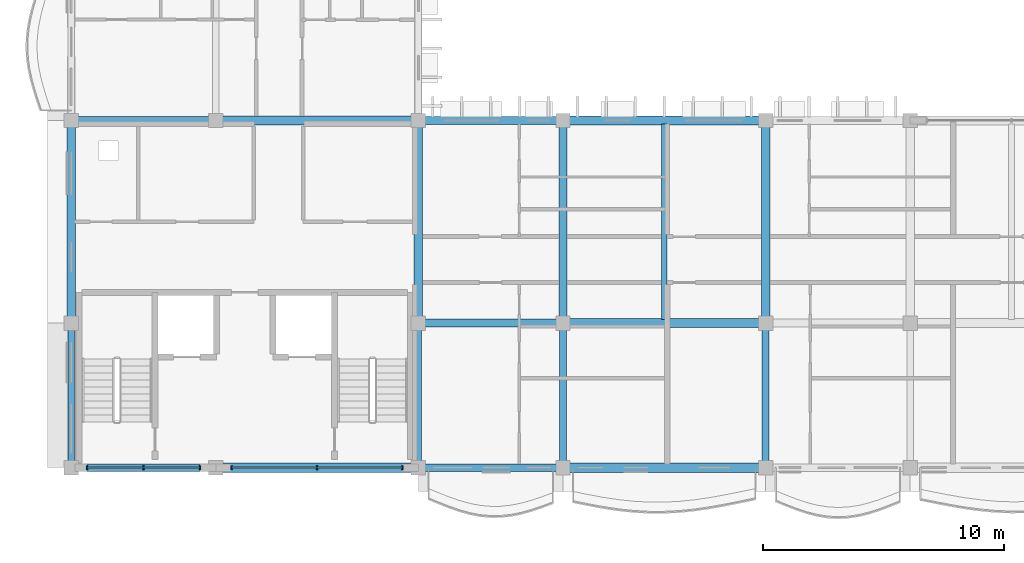
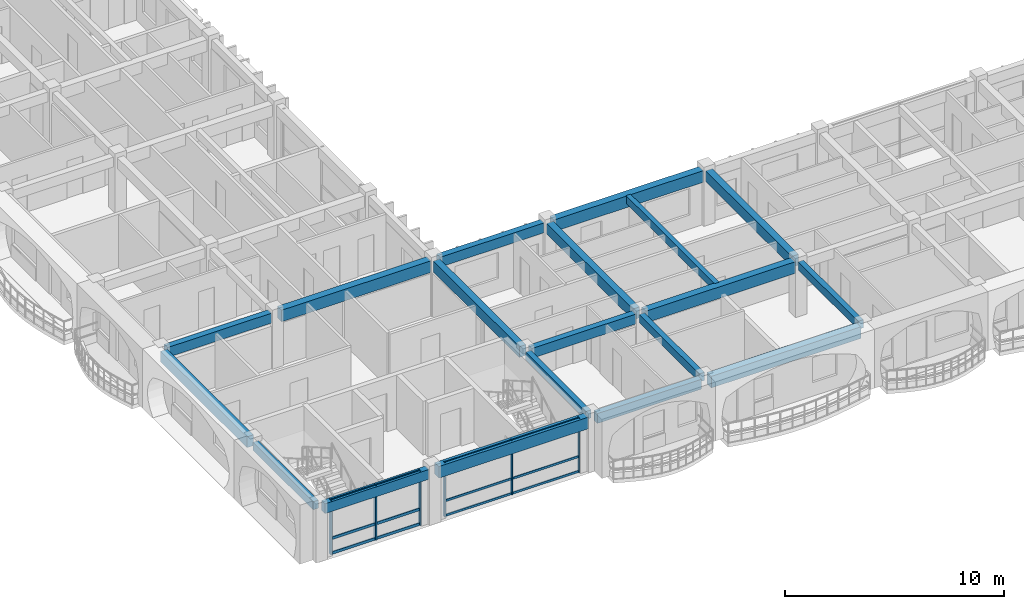
# One storey, part 3 of 76: 19 beams, 12 members, 2 elements without a shape of their own.
"""IFC4 building model written with IfcOpenShell, lengths in metres."""

from ifc_helpers import new_model, si_unit, direction, frame, origin, origin_2d, place, context, subcontext, project, spatial, rectangle, extrude, material, material_profile, profile_set, type_object, element, aggregate, save


model = new_model("IFC4")

# Units and contexts
model_context = context("Model", 3, precision=1e-05, world=origin(), true_north=direction((0.0, 1.0)))
body_context = subcontext(model_context, "Body", "Model", "MODEL_VIEW")
ifc_project = project(units=[si_unit("LENGTHUNIT", "METRE"), si_unit("AREAUNIT", "SQUARE_METRE"), si_unit("VOLUMEUNIT", "CUBIC_METRE"), si_unit("PLANEANGLEUNIT", "RADIAN"), si_unit("MASSUNIT", "GRAM", prefix="KILO"), si_unit("THERMODYNAMICTEMPERATUREUNIT", "KELVIN")], contexts=[model_context])

# Site, building, storey
site_placement = place(None, origin())
site = spatial("IfcSite", under=ifc_project, at=site_placement, CompositionType="ELEMENT")
building_placement = place(site_placement, origin())
building = spatial("IfcBuilding", under=site, at=building_placement, Name="Thalorik Housing Commons", CompositionType="ELEMENT")
storey_placement = place(building_placement, frame((0.0, 0.0, 18.0)))
storey = spatial("IfcBuildingStorey", under=building, at=storey_placement, Name="L05", CompositionType="ELEMENT", Elevation=18.0)

# Curtain wall, members
ifc_material_1 = material(Name="Anodised aluminium and solar-control low-E glass", Category="aluminium")
curtain_wall_type = type_object("IfcCurtainWallType", Name="ARC-CW-CORE", PredefinedType="USERDEFINED", material=ifc_material_1)
curtain_wall_1_placement = place(storey_placement, origin())
curtain_wall_1 = element("IfcCurtainWall", 1, at=curtain_wall_1_placement, inside=storey, type_object=curtain_wall_type, Name="L05 Curtain Wall CW-CORE-L05-C-150", ObjectType="CURTAIN WALL", PredefinedType="USERDEFINED")
ifc_material_2 = material(Name="Anodised aluminium 6063-T6", Category="aluminium")
ifc_material_profile_1 = material_profile(ifc_material_2, rectangle(XDim=0.06005859375, YDim=0.159912109375, at=origin_2d()), Name="ALU MUL 60x160", Category="aluminium")
ifc_profile_set_1 = profile_set([ifc_material_profile_1], Name="Anodised aluminium 6063-T6")
member_type_1 = type_object("IfcMemberType", Name="ARC-CW-MUL-60x160", PredefinedType="MULLION", material=ifc_profile_set_1)
member_1_placement = place(storey_placement, frame((15.050048828125, 8.39990234375, 0.0), z_axis=(0.0, 0.0, 1.0), x_axis=(1.0, 0.0, 0.0)))
member_1 = element("IfcMember", 2, at=member_1_placement, type_object=member_type_1, Name="CW-CORE-L05-C-150 Mullion 1", PredefinedType="MULLION", context=body_context, shape_type="SweptSolid", body=[
    extrude(rectangle(XDim=0.06005859375, YDim=0.159912109375, at=origin_2d()), origin(), (0.0, 0.0, 1.0), 3.0400390625),
])
member_2_placement = place(storey_placement, frame((18.60009765625, 8.39990234375, 0.0), z_axis=(0.0, 0.0, 1.0), x_axis=(1.0, 0.0, 0.0)))
member_2 = element("IfcMember", 3, at=member_2_placement, type_object=member_type_1, Name="CW-CORE-L05-C-150 Mullion 2", PredefinedType="MULLION", context=body_context, shape_type="SweptSolid", body=[
    extrude(rectangle(XDim=0.06005859375, YDim=0.159912109375, at=origin_2d()), origin(), (0.0, 0.0, 1.0), 3.0400390625),
])
member_3_placement = place(storey_placement, frame((22.14990234375, 8.39990234375, 0.0), z_axis=(0.0, 0.0, 1.0), x_axis=(1.0, 0.0, 0.0)))
member_3 = element("IfcMember", 4, at=member_3_placement, type_object=member_type_1, Name="CW-CORE-L05-C-150 Mullion 3", PredefinedType="MULLION", context=body_context, shape_type="SweptSolid", body=[
    extrude(rectangle(XDim=0.06005859375, YDim=0.159912109375, at=origin_2d()), origin(), (0.0, 0.0, 1.0), 3.0400390625),
])

curtain_wall_2_placement = place(storey_placement, origin())
curtain_wall_2 = element("IfcCurtainWall", 5, at=curtain_wall_2_placement, inside=storey, type_object=curtain_wall_type, Name="L05 Curtain Wall CW-CORE-L05-C-149", ObjectType="CURTAIN WALL", PredefinedType="USERDEFINED")
ifc_material_profile_2 = material_profile(ifc_material_2, rectangle(XDim=0.06494140625, YDim=0.179931640625, at=origin_2d()), Name="ALU MUL 65x180", Category="aluminium")
ifc_profile_set_2 = profile_set([ifc_material_profile_2], Name="Anodised aluminium 6063-T6")
member_type_2 = type_object("IfcMemberType", Name="ARC-CW-MUL-65x180", PredefinedType="MULLION", material=ifc_profile_set_2)
member_4_placement = place(storey_placement, frame((9.050048828125, 8.39990234375, 0.0), z_axis=(0.0, 0.0, 1.0), x_axis=(1.0, 0.0, 0.0)))
member_4 = element("IfcMember", 6, at=member_4_placement, type_object=member_type_2, Name="CW-CORE-L05-C-149 Mullion 1", PredefinedType="MULLION", context=body_context, shape_type="SweptSolid", body=[
    extrude(rectangle(XDim=0.06494140625, YDim=0.179931640625, at=origin_2d()), origin(), (0.0, 0.0, 1.0), 3.0400390625),
])
member_5_placement = place(storey_placement, frame((11.39990234375, 8.39990234375, 0.0), z_axis=(0.0, 0.0, 1.0), x_axis=(1.0, 0.0, 0.0)))
member_5 = element("IfcMember", 7, at=member_5_placement, type_object=member_type_2, Name="CW-CORE-L05-C-149 Mullion 2", PredefinedType="MULLION", context=body_context, shape_type="SweptSolid", body=[
    extrude(rectangle(XDim=0.06494140625, YDim=0.179931640625, at=origin_2d()), origin(), (0.0, 0.0, 1.0), 3.0400390625),
])
member_6_placement = place(storey_placement, frame((13.75, 8.39990234375, 0.0), z_axis=(0.0, 0.0, 1.0), x_axis=(1.0, 0.0, 0.0)))
member_6 = element("IfcMember", 8, at=member_6_placement, type_object=member_type_2, Name="CW-CORE-L05-C-149 Mullion 3", PredefinedType="MULLION", context=body_context, shape_type="SweptSolid", body=[
    extrude(rectangle(XDim=0.06494140625, YDim=0.179931640625, at=origin_2d()), origin(), (0.0, 0.0, 1.0), 3.0400390625),
])

# Member
ifc_material_profile_3 = material_profile(ifc_material_2, rectangle(XDim=0.06005859375, YDim=0.1201171875, at=origin_2d()), Name="ALU TRN 60x120", Category="aluminium")
ifc_profile_set_3 = profile_set([ifc_material_profile_3], Name="Anodised aluminium 6063-T6")
member_type_3 = type_object("IfcMemberType", Name="ARC-CW-TRN-60x120", PredefinedType="USERDEFINED", material=ifc_profile_set_3)
member_7_placement = place(storey_placement, frame((15.050048828125, 8.39990234375, 0.054931640625), z_axis=(1.0, 0.0, 0.0), x_axis=(0.0, 1.0, 0.0)))
member_7 = element("IfcMember", 9, at=member_7_placement, type_object=member_type_3, Name="CW-CORE-L05-C-150 Transom 1", ObjectType="TRANSOM", PredefinedType="USERDEFINED", context=body_context, shape_type="SweptSolid", body=[
    extrude(rectangle(XDim=0.06005859375, YDim=0.1201171875, at=origin_2d()), origin(), (0.0, 0.0, 1.0), 7.099853515625),
])

member_8_placement = place(storey_placement, frame((15.050048828125, 8.39990234375, 0.8798828125), z_axis=(1.0, 0.0, 0.0), x_axis=(0.0, 1.0, 0.0)))
member_8 = element("IfcMember", 10, at=member_8_placement, type_object=member_type_3, Name="CW-CORE-L05-C-150 Transom 2", ObjectType="TRANSOM", PredefinedType="USERDEFINED", context=body_context, shape_type="SweptSolid", body=[
    extrude(rectangle(XDim=0.06005859375, YDim=0.1201171875, at=origin_2d()), origin(), (0.0, 0.0, 1.0), 7.099853515625),
])

member_9_placement = place(storey_placement, frame((15.050048828125, 8.39990234375, 2.985107421875), z_axis=(1.0, 0.0, 0.0), x_axis=(0.0, 1.0, 0.0)))
member_9 = element("IfcMember", 11, at=member_9_placement, type_object=member_type_3, Name="CW-CORE-L05-C-150 Transom 3", ObjectType="TRANSOM", PredefinedType="USERDEFINED", context=body_context, shape_type="SweptSolid", body=[
    extrude(rectangle(XDim=0.06005859375, YDim=0.1201171875, at=origin_2d()), origin(), (0.0, 0.0, 1.0), 7.099853515625),
])

aggregate(curtain_wall_1, [member_1, member_2, member_3, member_7, member_8, member_9])

ifc_material_profile_4 = material_profile(ifc_material_2, rectangle(XDim=0.06494140625, YDim=0.14990234375, at=origin_2d()), Name="ALU TRN 65x150", Category="aluminium")
ifc_profile_set_4 = profile_set([ifc_material_profile_4], Name="Anodised aluminium 6063-T6")
member_type_4 = type_object("IfcMemberType", Name="ARC-CW-TRN-65x150", PredefinedType="USERDEFINED", material=ifc_profile_set_4)
member_10_placement = place(storey_placement, frame((9.050048828125, 8.39990234375, 0.054931640625), z_axis=(1.0, 0.0, 0.0), x_axis=(0.0, 1.0, 0.0)))
member_10 = element("IfcMember", 12, at=member_10_placement, type_object=member_type_4, Name="CW-CORE-L05-C-149 Transom 1", ObjectType="TRANSOM", PredefinedType="USERDEFINED", context=body_context, shape_type="SweptSolid", body=[
    extrude(rectangle(XDim=0.06494140625, YDim=0.14990234375, at=origin_2d()), origin(), (0.0, 0.0, 1.0), 4.699951171875),
])

member_11_placement = place(storey_placement, frame((9.050048828125, 8.39990234375, 0.8798828125), z_axis=(1.0, 0.0, 0.0), x_axis=(0.0, 1.0, 0.0)))
member_11 = element("IfcMember", 13, at=member_11_placement, type_object=member_type_4, Name="CW-CORE-L05-C-149 Transom 2", ObjectType="TRANSOM", PredefinedType="USERDEFINED", context=body_context, shape_type="SweptSolid", body=[
    extrude(rectangle(XDim=0.06494140625, YDim=0.14990234375, at=origin_2d()), origin(), (0.0, 0.0, 1.0), 4.699951171875),
])

member_12_placement = place(storey_placement, frame((9.050048828125, 8.39990234375, 2.985107421875), z_axis=(1.0, 0.0, 0.0), x_axis=(0.0, 1.0, 0.0)))
member_12 = element("IfcMember", 14, at=member_12_placement, type_object=member_type_4, Name="CW-CORE-L05-C-149 Transom 3", ObjectType="TRANSOM", PredefinedType="USERDEFINED", context=body_context, shape_type="SweptSolid", body=[
    extrude(rectangle(XDim=0.06494140625, YDim=0.14990234375, at=origin_2d()), origin(), (0.0, 0.0, 1.0), 4.699951171875),
])

aggregate(curtain_wall_2, [member_4, member_5, member_6, member_10, member_11, member_12])

# Beams
ifc_material_3 = material(Name="Precast concrete C40/50", Category="concrete")
ifc_material_profile_5 = material_profile(ifc_material_3, rectangle(XDim=0.280029296875, YDim=0.449951171875, at=origin_2d()), Name="PC 280x450", Category="concrete")
ifc_profile_set_5 = profile_set([ifc_material_profile_5], Name="Precast concrete C40/50")
beam_type_1 = type_object("IfcBeamType", Name="STR-BM-PC280x450", PredefinedType="BEAM", material=ifc_profile_set_5)
for number, where, z_axis, x_axis, name in (
    (15, (8.39990234375, 8.64990234375, 2.81494140625), (0.0, 1.0, 0.0), (-1.0, 0.0, 0.0), "L05 Beam B-450"),
    (16, (22.800048828125, 8.64990234375, 2.81494140625), (0.0, 1.0, 0.0), (-1.0, 0.0, 0.0), "L05 Beam B-450"),
    (17, (28.800048828125, 8.64990234375, 2.81494140625), (0.0, 1.0, 0.0), (-1.0, 0.0, 0.0), "L05 Beam B-450"),
    (18, (37.199951171875, 8.64990234375, 2.81494140625), (0.0, 1.0, 0.0), (-1.0, 0.0, 0.0), "L05 Beam B-450"),
):
    element("IfcBeam", number, at=place(storey_placement, frame(where, z_axis=z_axis, x_axis=x_axis)), inside=storey, type_object=beam_type_1, Name=name, PredefinedType="BEAM", context=body_context, shape_type="SweptSolid", body=[
        extrude(rectangle(XDim=0.280029296875, YDim=0.449951171875, at=origin_2d()), origin(), (0.0, 0.0, 1.0), 5.5),
    ])
ifc_material_profile_6 = material_profile(ifc_material_3, rectangle(XDim=0.320068359375, YDim=0.550048828125, at=origin_2d()), Name="PC 320x550", Category="concrete")
ifc_profile_set_6 = profile_set([ifc_material_profile_6], Name="Precast concrete C40/50")
beam_type_2 = type_object("IfcBeamType", Name="STR-BM-PC320x550", PredefinedType="BEAM", material=ifc_profile_set_6)
for number, where, z_axis, x_axis, name in (
    (19, (8.64990234375, 8.39990234375, 2.764892578125), (1.0, 0.0, 0.0), (0.0, 1.0, 0.0), "L05 Beam B-550"),
    (20, (23.050048828125, 8.39990234375, 2.764892578125), (1.0, 0.0, 0.0), (0.0, 1.0, 0.0), "L05 Beam B-550"),
    (21, (23.050048828125, 14.39990234375, 2.764892578125), (1.0, 0.0, 0.0), (0.0, 1.0, 0.0), "L05 Beam B-550"),
    (22, (8.64990234375, 22.800048828125, 2.764892578125), (1.0, 0.0, 0.0), (0.0, 1.0, 0.0), "L05 Beam B-550"),
    (23, (23.050048828125, 22.800048828125, 2.764892578125), (1.0, 0.0, 0.0), (0.0, 1.0, 0.0), "L05 Beam B-550"),
):
    element("IfcBeam", number, at=place(storey_placement, frame(where, z_axis=z_axis, x_axis=x_axis)), inside=storey, type_object=beam_type_2, Name=name, PredefinedType="BEAM", context=body_context, shape_type="SweptSolid", body=[
        extrude(rectangle(XDim=0.320068359375, YDim=0.550048828125, at=origin_2d()), origin(), (0.0, 0.0, 1.0), 5.5),
    ])
ifc_material_profile_7 = material_profile(ifc_material_3, rectangle(XDim=0.35009765625, YDim=0.60009765625, at=origin_2d()), Name="PC 350x600", Category="concrete")
ifc_profile_set_7 = profile_set([ifc_material_profile_7], Name="Precast concrete C40/50")
beam_type_3 = type_object("IfcBeamType", Name="STR-BM-PC350x600", PredefinedType="BEAM", material=ifc_profile_set_7)
for number, where, z_axis, x_axis, name in (
    (24, (8.39990234375, 14.64990234375, 2.739990234375), (0.0, 1.0, 0.0), (-1.0, 0.0, 0.0), "L05 Beam B-600"),
    (25, (22.800048828125, 14.64990234375, 2.739990234375), (0.0, 1.0, 0.0), (-1.0, 0.0, 0.0), "L05 Beam B-600"),
    (26, (28.800048828125, 14.64990234375, 2.739990234375), (0.0, 1.0, 0.0), (-1.0, 0.0, 0.0), "L05 Beam B-600"),
    (27, (37.199951171875, 14.64990234375, 2.739990234375), (0.0, 1.0, 0.0), (-1.0, 0.0, 0.0), "L05 Beam B-600"),
):
    element("IfcBeam", number, at=place(storey_placement, frame(where, z_axis=z_axis, x_axis=x_axis)), inside=storey, type_object=beam_type_3, Name=name, PredefinedType="BEAM", context=body_context, shape_type="SweptSolid", body=[
        extrude(rectangle(XDim=0.35009765625, YDim=0.60009765625, at=origin_2d()), origin(), (0.0, 0.0, 1.0), 7.900146484375),
    ])
ifc_material_profile_8 = material_profile(ifc_material_3, rectangle(XDim=0.3798828125, YDim=0.64990234375, at=origin_2d()), Name="PC 380x650", Category="concrete")
ifc_profile_set_8 = profile_set([ifc_material_profile_8], Name="Precast concrete C40/50")
beam_type_4 = type_object("IfcBeamType", Name="STR-BM-PC380x650", PredefinedType="BEAM", material=ifc_profile_set_8)
beam_1_placement = place(storey_placement, frame((14.64990234375, 8.39990234375, 2.715087890625), z_axis=(1.0, 0.0, 0.0), x_axis=(0.0, 1.0, 0.0)))
element("IfcBeam", 28, at=beam_1_placement, inside=storey, type_object=beam_type_4, Name="L05 Beam B-650", PredefinedType="BEAM", context=body_context, shape_type="SweptSolid", body=[
    extrude(rectangle(XDim=0.3798828125, YDim=0.64990234375, at=origin_2d()), origin(), (0.0, 0.0, 1.0), 7.900146484375),
])
for number, where, z_axis, x_axis, name in (
    (29, (29.050048828125, 8.39990234375, 2.715087890625), (1.0, 0.0, 0.0), (0.0, 1.0, 0.0), "L05 Beam B-650"),
    (30, (29.050048828125, 14.39990234375, 2.715087890625), (1.0, 0.0, 0.0), (0.0, 1.0, 0.0), "L05 Beam B-650"),
):
    element("IfcBeam", number, at=place(storey_placement, frame(where, z_axis=z_axis, x_axis=x_axis)), inside=storey, type_object=beam_type_4, Name=name, PredefinedType="BEAM", context=body_context, shape_type="SweptSolid", body=[
        extrude(rectangle(XDim=0.3798828125, YDim=0.64990234375, at=origin_2d()), origin(), (0.0, 0.0, 1.0), 7.89990234375),
    ])
beam_2_placement = place(storey_placement, frame((14.64990234375, 22.800048828125, 2.715087890625), z_axis=(1.0, 0.0, 0.0), x_axis=(0.0, 1.0, 0.0)))
element("IfcBeam", 31, at=beam_2_placement, inside=storey, type_object=beam_type_4, Name="L05 Beam B-650", PredefinedType="BEAM", context=body_context, shape_type="SweptSolid", body=[
    extrude(rectangle(XDim=0.3798828125, YDim=0.64990234375, at=origin_2d()), origin(), (0.0, 0.0, 1.0), 7.900146484375),
])
beam_3_placement = place(storey_placement, frame((29.050048828125, 22.800048828125, 2.715087890625), z_axis=(1.0, 0.0, 0.0), x_axis=(0.0, 1.0, 0.0)))
element("IfcBeam", 32, at=beam_3_placement, inside=storey, type_object=beam_type_4, Name="L05 Beam B-650", PredefinedType="BEAM", context=body_context, shape_type="SweptSolid", body=[
    extrude(rectangle(XDim=0.3798828125, YDim=0.64990234375, at=origin_2d()), origin(), (0.0, 0.0, 1.0), 7.89990234375),
])
ifc_material_profile_9 = material_profile(ifc_material_3, rectangle(XDim=0.239990234375, YDim=0.43994140625, at=origin_2d()), Name="PC JST 240x440", Category="concrete")
ifc_profile_set_9 = profile_set([ifc_material_profile_9], Name="Precast concrete C40/50")
beam_type_5 = type_object("IfcBeamType", Name="STR-JST-PC240x440", PredefinedType="JOIST", material=ifc_profile_set_9)
beam_4_placement = place(storey_placement, frame((33.0, 14.5400390625, 2.820068359375), z_axis=(0.0, 1.0, 0.0), x_axis=(-1.0, 0.0, 0.0)))
element("IfcBeam", 33, at=beam_4_placement, inside=storey, type_object=beam_type_5, Name="L05 Beam J-440", PredefinedType="JOIST", context=body_context, shape_type="SweptSolid", body=[
    extrude(rectangle(XDim=0.239990234375, YDim=0.43994140625, at=origin_2d()), origin(), (0.0, 0.0, 1.0), 8.119873046875),
])

save(model, "model.ifc")
